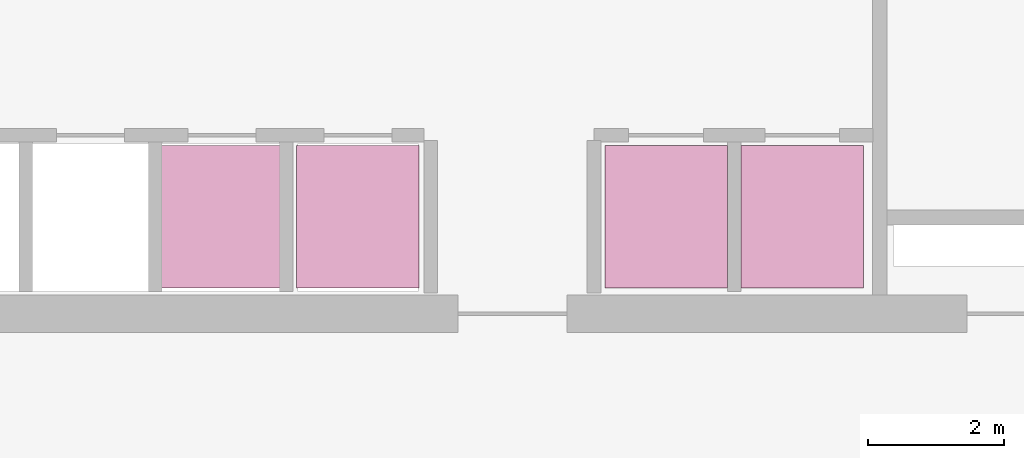
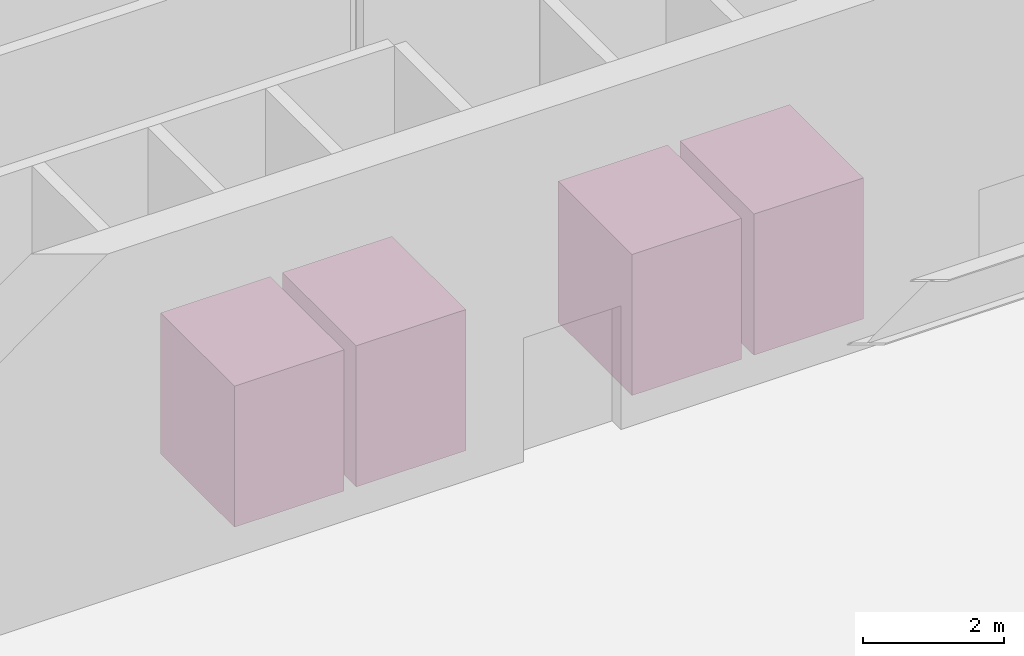
# One storey, part 14 of 14: 4 transport elements.
"""IFC4 building model written with IfcOpenShell, lengths in metres."""

from ifc_helpers import new_model, si_unit, direction, frame, origin, origin_2d, place, context, subcontext, project, spatial, rectangle, extrude, source, transform, mapped, material, type_object, type_shapes, element, save


model = new_model("IFC4")

# Units and contexts
model_context = context("Model", 3, precision=1e-05, world=origin(), true_north=direction((0.0, 1.0)))
body_context = subcontext(model_context, "Body", "Model", "MODEL_VIEW")
ifc_project = project(units=[si_unit("LENGTHUNIT", "METRE"), si_unit("AREAUNIT", "SQUARE_METRE"), si_unit("VOLUMEUNIT", "CUBIC_METRE"), si_unit("PLANEANGLEUNIT", "RADIAN"), si_unit("MASSUNIT", "GRAM", prefix="KILO")], contexts=[model_context])

# Site, building, storey
site_placement = place(None, origin())
site = spatial("IfcSite", under=ifc_project, at=site_placement, CompositionType="ELEMENT")
building_placement = place(site_placement, origin())
building = spatial("IfcBuilding", under=site, at=building_placement, Name="Breltana Convention Tower", CompositionType="ELEMENT")
storey_placement = place(building_placement, origin())
storey = spatial("IfcBuildingStorey", under=building, at=storey_placement, Name="L00", CompositionType="ELEMENT", Elevation=0.0)

# Transport elements
ifc_material = material(Name="Stainless Steel Cab Assembly", Category="steel")
transport_element_type_1 = type_object("IfcTransportElementType", Name="LFT-PAX-1600", PredefinedType="ELEVATOR", material=ifc_material)
shared_shape_1 = source(origin(), body_context, "Body", "SweptSolid", [
    extrude(rectangle(XDim=1.800048828125, YDim=2.10009765625, at=origin_2d()), origin(), (0.0, 0.0, 1.0), 2.449951171875),
])
type_shapes(transport_element_type_1, [shared_shape_1])
for number, where, z_axis, x_axis, name in (
    (1, (45.75, 61.89990234375, 0.0), (0.0, 0.0, 1.0), (1.0, 0.0, 0.0), "Low Lift PL-L3"),
    (2, (47.75, 61.89990234375, 0.0), (0.0, 0.0, 1.0), (1.0, 0.0, 0.0), "Low Lift PL-L4"),
):
    element("IfcTransportElement", number, at=place(storey_placement, frame(where, z_axis=z_axis, x_axis=x_axis)), inside=storey, type_object=transport_element_type_1, Name=name, PredefinedType="ELEVATOR", context=body_context, shape_type="MappedRepresentation", body=[
        mapped(shared_shape_1, transform((0.0, 0.0, 0.0), scale=1.0)),
    ])
transport_element_type_2 = type_object("IfcTransportElementType", Name="LFT-EXP-1800", PredefinedType="ELEVATOR", material=ifc_material)
shared_shape_2 = source(origin(), body_context, "Body", "SweptSolid", [
    extrude(rectangle(XDim=1.800048828125, YDim=2.10009765625, at=origin_2d()), origin(), (0.0, 0.0, 1.0), 2.449951171875),
])
type_shapes(transport_element_type_2, [shared_shape_2])
for number, where, z_axis, x_axis, name in (
    (3, (52.280029296875, 61.89990234375, 0.0), (0.0, 0.0, 1.0), (1.0, 0.0, 0.0), "Shuttle Lift SL-X1"),
    (4, (54.280029296875, 61.89990234375, 0.0), (0.0, 0.0, 1.0), (1.0, 0.0, 0.0), "Shuttle Lift SL-X2"),
):
    element("IfcTransportElement", number, at=place(storey_placement, frame(where, z_axis=z_axis, x_axis=x_axis)), inside=storey, type_object=transport_element_type_2, Name=name, PredefinedType="ELEVATOR", context=body_context, shape_type="MappedRepresentation", body=[
        mapped(shared_shape_2, transform((0.0, 0.0, 0.0), scale=1.0)),
    ])

save(model, "model.ifc")
